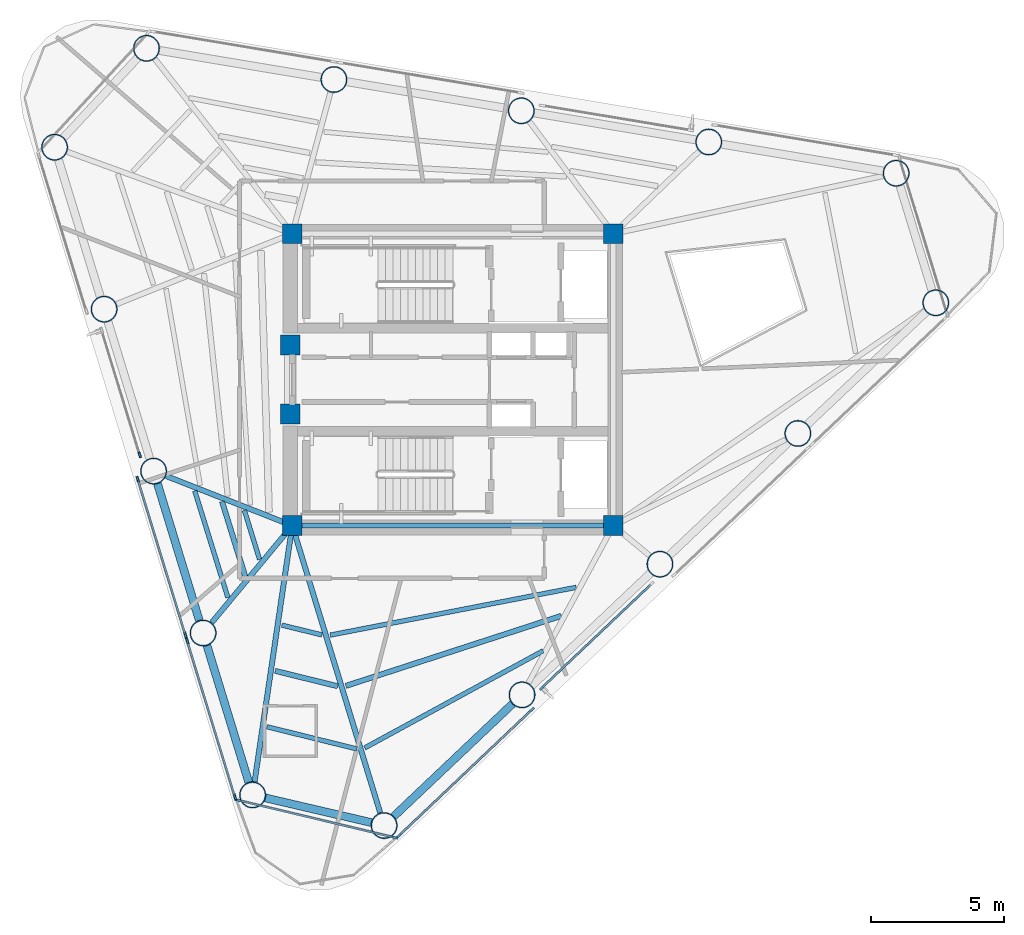
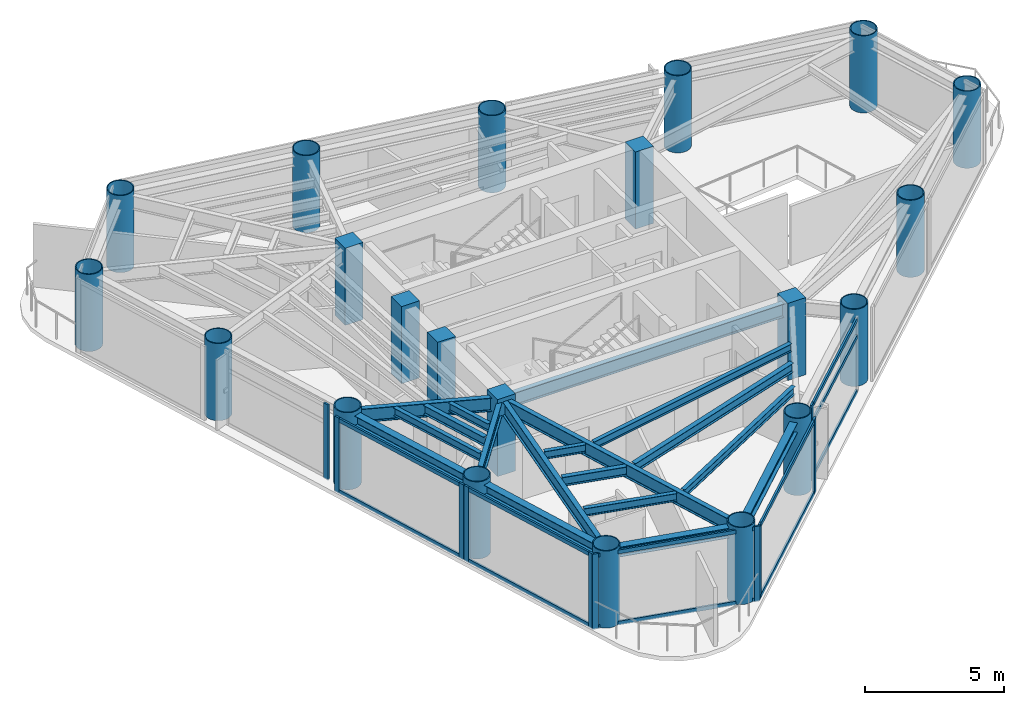
# One storey, part 1 of 8: 21 columns, 21 members, 18 beams, 6 elements without a shape of their own.
"""IFC4 building model written with IfcOpenShell, lengths in metres."""

from ifc_helpers import new_model, si_unit, direction, frame, origin, origin_2d, place, context, subcontext, project, spatial, rectangle, hollow_circle, i_section, extrude, source, transform, mapped, material, layer, layer_set, material_profile, profile_set, type_object, element, aggregate, save


model = new_model("IFC4")

# Units and contexts
model_context = context("Model", 3, precision=1e-05, world=origin(), true_north=direction((0.0, 1.0)))
body_context = subcontext(model_context, "Body", "Model", "MODEL_VIEW")
ifc_project = project(units=[si_unit("LENGTHUNIT", "METRE"), si_unit("AREAUNIT", "SQUARE_METRE"), si_unit("VOLUMEUNIT", "CUBIC_METRE"), si_unit("PLANEANGLEUNIT", "RADIAN"), si_unit("MASSUNIT", "GRAM", prefix="KILO")], contexts=[model_context])

# Site, building, storey
site_placement = place(None, origin())
site = spatial("IfcSite", under=ifc_project, at=site_placement, CompositionType="ELEMENT")
building_placement = place(site_placement, origin())
building = spatial("IfcBuilding", under=site, at=building_placement, Name="Yunling Apex Tower", CompositionType="ELEMENT")
storey_placement = place(building_placement, frame((0.0, 0.0, 242.25)))
storey = spatial("IfcBuildingStorey", under=building, at=storey_placement, Name="L59", CompositionType="ELEMENT", Elevation=242.25)

# Columns
ifc_material_1 = material(Name="Concrete C50", Category="concrete")
ifc_material_profile_1 = material_profile(ifc_material_1, rectangle(XDim=0.75, YDim=0.75, at=origin_2d()))
ifc_profile_set_1 = profile_set([ifc_material_profile_1], Name="Concrete C50")
column_type_1 = type_object("IfcColumnType", Name="PC-SRC-4", PredefinedType="COLUMN", material=ifc_profile_set_1)
shared_shape_1 = source(origin(), body_context, "Body", "SweptSolid", [
    extrude(rectangle(XDim=0.75, YDim=0.75, at=origin_2d()), origin(), (0.0, 0.0, 1.0), 3.39990234375),
])
for number, where, z_axis, x_axis, name in (
    (1, (-6.050048828125, -5.5, 0.0), (0.0, 0.0, 1.0), (1.0, 0.0, 0.0), "L59 Core Spine Column CC-SW"),
    (2, (6.050048828125, -5.5, 0.0), (0.0, 0.0, 1.0), (1.0, 0.0, 0.0), "L59 Core Spine Column CC-SE"),
    (3, (6.050048828125, 5.5, 0.0), (0.0, 0.0, 1.0), (1.0, 0.0, 0.0), "L59 Core Spine Column CC-NE"),
    (4, (-6.050048828125, 5.5, 0.0), (0.0, 0.0, 1.0), (1.0, 0.0, 0.0), "L59 Core Spine Column CC-NW"),
    (5, (-6.125, -1.300048828125, 0.0), (0.0, 0.0, 1.0), (1.0, 0.0, 0.0), "L59 Core West Portal Jamb Column S"),
    (6, (-6.125, 1.300048828125, 0.0), (0.0, 0.0, 1.0), (1.0, 0.0, 0.0), "L59 Core West Portal Jamb Column N"),
):
    element("IfcColumn", number, at=place(storey_placement, frame(where, z_axis=z_axis, x_axis=x_axis)), inside=storey, type_object=column_type_1, Name=name, PredefinedType="COLUMN", context=body_context, shape_type="MappedRepresentation", body=[
        mapped(shared_shape_1, transform((0.0, 0.0, 0.0), scale=1.0)),
    ])
ifc_material_2 = material(Name="Steel Q390GJC", Category="steel")
ifc_material_profile_2 = material_profile(ifc_material_2, hollow_circle(Radius=0.5, WallThickness=0.0400390625, at=origin_2d()))
ifc_profile_set_2 = profile_set([ifc_material_profile_2], Name="Steel Q390GJC")
column_type_2 = type_object("IfcColumnType", Name="MC-CFST-5", PredefinedType="COLUMN", material=ifc_profile_set_2)
shared_shape_2 = source(origin(), body_context, "Body", "SweptSolid", [
    extrude(hollow_circle(Radius=0.5, WallThickness=0.0400390625, at=origin_2d()), origin(), (0.0, 0.0, 1.0), 3.39990234375),
])
for number, where, z_axis, x_axis, name in (
    (7, (-2.58740234375, -16.807861328125, 0.0), (0.0, 0.0, 1.0), (1.0, 0.0, 0.0), "L59 Perimeter CFST Mega-Column P01"),
    (8, (2.61083984375, -11.8818359375, 0.0), (0.0, 0.0, 1.0), (1.0, 0.0, 0.0), "L59 Perimeter CFST Mega-Column P02"),
    (9, (7.80908203125, -6.9560546875, 0.0), (0.0, 0.0, 1.0), (1.0, 0.0, 0.0), "L59 Perimeter CFST Mega-Column P03"),
    (10, (13.007080078125, -2.030029296875, 0.0), (0.0, 0.0, 1.0), (1.0, 0.0, 0.0), "L59 Perimeter CFST Mega-Column P04"),
    (11, (18.205322265625, 2.89599609375, 0.0), (0.0, 0.0, 1.0), (1.0, 0.0, 0.0), "L59 Perimeter CFST Mega-Column P05"),
    (12, (16.712158203125, 7.779296875, 0.0), (0.0, 0.0, 1.0), (1.0, 0.0, 0.0), "L59 Perimeter CFST Mega-Column P06"),
    (13, (9.648193359375, 8.95654296875, 0.0), (0.0, 0.0, 1.0), (1.0, 0.0, 0.0), "L59 Perimeter CFST Mega-Column P07"),
    (14, (2.584228515625, 10.133544921875, 0.0), (0.0, 0.0, 1.0), (1.0, 0.0, 0.0), "L59 Perimeter CFST Mega-Column P08"),
    (15, (-4.479736328125, 11.310546875, 0.0), (0.0, 0.0, 1.0), (1.0, 0.0, 0.0), "L59 Perimeter CFST Mega-Column P09"),
    (16, (-11.543701171875, 12.487548828125, 0.0), (0.0, 0.0, 1.0), (1.0, 0.0, 0.0), "L59 Perimeter CFST Mega-Column P10"),
    (17, (-15.007568359375, 8.7587890625, 0.0), (0.0, 0.0, 1.0), (1.0, 0.0, 0.0), "L59 Perimeter CFST Mega-Column P11"),
    (18, (-13.1416015625, 2.65576171875, 0.0), (0.0, 0.0, 1.0), (1.0, 0.0, 0.0), "L59 Perimeter CFST Mega-Column P12"),
    (19, (-11.27587890625, -3.447509765625, 0.0), (0.0, 0.0, 1.0), (1.0, 0.0, 0.0), "L59 Perimeter CFST Mega-Column P13"),
    (20, (-9.409912109375, -9.55029296875, 0.0), (0.0, 0.0, 1.0), (1.0, 0.0, 0.0), "L59 Perimeter CFST Mega-Column P14"),
    (21, (-7.5439453125, -15.6533203125, 0.0), (0.0, 0.0, 1.0), (1.0, 0.0, 0.0), "L59 Perimeter CFST Mega-Column P15"),
):
    element("IfcColumn", number, at=place(storey_placement, frame(where, z_axis=z_axis, x_axis=x_axis)), inside=storey, type_object=column_type_2, Name=name, PredefinedType="COLUMN", context=body_context, shape_type="MappedRepresentation", body=[
        mapped(shared_shape_2, transform((0.0, 0.0, 0.0), scale=1.0)),
    ])

# Beams
ifc_material_3 = material(Name="Steel Q355B", Category="steel")
ifc_material_profile_3 = material_profile(ifc_material_3, i_section(OverallWidth=0.199951171875, OverallDepth=0.60009765625, WebThickness=0.010986328125, FlangeThickness=0.01708984375, FilletRadius=0.02197265625, at=origin_2d()))
ifc_profile_set_3 = profile_set([ifc_material_profile_3], Name="Steel Q355B")
beam_type_1 = type_object("IfcBeamType", Name="BG-PRI-5", PredefinedType="USERDEFINED", material=ifc_profile_set_3)
shared_shape_3 = source(origin(), body_context, "Body", "SweptSolid", [
    extrude(i_section(OverallWidth=0.199951171875, OverallDepth=0.60009765625, WebThickness=0.010986328125, FlangeThickness=0.01708984375, FilletRadius=0.02197265625, at=origin_2d()), origin(), (0.0, 0.0, 1.0), 11.7998046875),
])
beam_1_placement = place(storey_placement, frame((-5.89990234375, -5.5, 2.919921875), z_axis=(1.0, 0.0, 0.0), x_axis=(0.0, 1.0, 0.0)))
element("IfcBeam", 22, at=beam_1_placement, inside=storey, type_object=beam_type_1, Name="L59 Core Ring Tie Beam 1", ObjectType="GIRDER", PredefinedType="USERDEFINED", context=body_context, shape_type="MappedRepresentation", body=[
    mapped(shared_shape_3, transform((0.0, 0.0, 0.0), scale=1.0)),
])
ifc_material_profile_4 = material_profile(ifc_material_3, i_section(OverallWidth=0.300048828125, OverallDepth=0.43994140625, WebThickness=0.010986328125, FlangeThickness=0.01806640625, FilletRadius=0.02197265625, at=origin_2d()))
ifc_profile_set_4 = profile_set([ifc_material_profile_4], Name="Steel Q355B")
beam_type_2 = type_object("IfcBeamType", Name="BP-SPN-3", PredefinedType="SPANDREL", material=ifc_profile_set_4)
shared_shape_4 = source(origin(), body_context, "Body", "SweptSolid", [
    extrude(i_section(OverallWidth=0.300048828125, OverallDepth=0.43994140625, WebThickness=0.010986328125, FlangeThickness=0.01806640625, FilletRadius=0.02197265625, at=origin_2d()), origin(), (0.0, 0.0, 1.0), 6.17333984375),
])
beam_2_placement = place(storey_placement, frame((-2.228759765625, -16.468017578125, 3.0), z_axis=(0.725853952128, 0.687848849807, 0.0), x_axis=(-0.687848849807, 0.725853952128, 0.0)))
element("IfcBeam", 23, at=beam_2_placement, inside=storey, type_object=beam_type_2, Name="L59 Perimeter Spandrel Beam 1", PredefinedType="SPANDREL", context=body_context, shape_type="MappedRepresentation", body=[
    mapped(shared_shape_4, transform((0.0, 0.0, 0.0), scale=1.0)),
])
shared_shape_5 = source(origin(), body_context, "Body", "SweptSolid", [
    extrude(i_section(OverallWidth=0.300048828125, OverallDepth=0.43994140625, WebThickness=0.010986328125, FlangeThickness=0.01806640625, FilletRadius=0.02197265625, at=origin_2d()), origin(), (0.0, 0.0, 1.0), 4.1015625),
])
beam_3_placement = place(storey_placement, frame((-7.06298828125, -15.765380859375, 3.0), z_axis=(0.973930702249, -0.226845734401, 0.0), x_axis=(0.226845734401, 0.973930702249, 0.0)))
element("IfcBeam", 24, at=beam_3_placement, inside=storey, type_object=beam_type_2, Name="L59 Perimeter Spandrel Beam 15", PredefinedType="SPANDREL", context=body_context, shape_type="MappedRepresentation", body=[
    mapped(shared_shape_5, transform((0.0, 0.0, 0.0), scale=1.0)),
])
shared_shape_6 = source(origin(), body_context, "Body", "SweptSolid", [
    extrude(i_section(OverallWidth=0.300048828125, OverallDepth=0.43994140625, WebThickness=0.010986328125, FlangeThickness=0.01806640625, FilletRadius=0.02197265625, at=origin_2d()), origin(), (0.0, 0.0, 1.0), 5.393798828125),
])
for number, where, z_axis, x_axis, name in (
    (25, (-11.13134765625, -3.919921875, 3.0), (0.292405975038, -0.956294277805, 0.0), (0.956294277805, 0.292405975038, 0.0), "L59 Perimeter Spandrel Beam 13"),
    (26, (-9.265380859375, -10.022705078125, 3.0), (0.292351925226, -0.956310802938, 0.0), (0.956310802938, 0.292351925226, 0.0), "L59 Perimeter Spandrel Beam 14"),
):
    element("IfcBeam", number, at=place(storey_placement, frame(where, z_axis=z_axis, x_axis=x_axis)), inside=storey, type_object=beam_type_2, Name=name, PredefinedType="SPANDREL", context=body_context, shape_type="MappedRepresentation", body=[
        mapped(shared_shape_6, transform((0.0, 0.0, 0.0), scale=1.0)),
    ])
shared_shape_7 = source(origin(), body_context, "Body", "SweptSolid", [
    extrude(i_section(OverallWidth=0.199951171875, OverallDepth=0.60009765625, WebThickness=0.010986328125, FlangeThickness=0.01708984375, FilletRadius=0.02197265625, at=origin_2d()), origin(), (0.0, 0.0, 1.0), 11.23828125),
])
beam_4_placement = place(storey_placement, frame((-2.736083984375, -16.322265625, 2.919921875), z_axis=(-0.292794126511, 0.956175506631, 0.0), x_axis=(-0.956175506631, -0.292794126511, 0.0)))
element("IfcBeam", 27, at=beam_4_placement, inside=storey, type_object=beam_type_1, Name="L59 Radial Primary Girder R01", ObjectType="GIRDER", PredefinedType="USERDEFINED", context=body_context, shape_type="MappedRepresentation", body=[
    mapped(shared_shape_7, transform((0.0, 0.0, 0.0), scale=1.0)),
])
shared_shape_8 = source(origin(), body_context, "Body", "SweptSolid", [
    extrude(i_section(OverallWidth=0.199951171875, OverallDepth=0.60009765625, WebThickness=0.010986328125, FlangeThickness=0.01708984375, FilletRadius=0.02197265625, at=origin_2d()), origin(), (0.0, 0.0, 1.0), 5.0263671875),
])
beam_5_placement = place(storey_placement, frame((-10.802978515625, -3.633056640625, 2.919921875), z_axis=(0.930773335483, -0.365596769617, 0.0), x_axis=(0.365596769617, 0.930773335483, 0.0)))
element("IfcBeam", 28, at=beam_5_placement, inside=storey, type_object=beam_type_1, Name="L59 Radial Primary Girder R13", ObjectType="GIRDER", PredefinedType="USERDEFINED", context=body_context, shape_type="MappedRepresentation", body=[
    mapped(shared_shape_8, transform((0.0, 0.0, 0.0), scale=1.0)),
])
shared_shape_9 = source(origin(), body_context, "Body", "SweptSolid", [
    extrude(i_section(OverallWidth=0.199951171875, OverallDepth=0.60009765625, WebThickness=0.010986328125, FlangeThickness=0.01708984375, FilletRadius=0.02197265625, at=origin_2d()), origin(), (0.0, 0.0, 1.0), 4.6748046875),
])
beam_6_placement = place(storey_placement, frame((-9.085693359375, -9.159423828125, 2.919921875), z_axis=(0.63846190647, 0.769653424593, 0.0), x_axis=(-0.769653424593, 0.63846190647, 0.0)))
element("IfcBeam", 29, at=beam_6_placement, inside=storey, type_object=beam_type_1, Name="L59 Radial Primary Girder R14", ObjectType="GIRDER", PredefinedType="USERDEFINED", context=body_context, shape_type="MappedRepresentation", body=[
    mapped(shared_shape_9, transform((0.0, 0.0, 0.0), scale=1.0)),
])
shared_shape_10 = source(origin(), body_context, "Body", "SweptSolid", [
    extrude(i_section(OverallWidth=0.199951171875, OverallDepth=0.60009765625, WebThickness=0.010986328125, FlangeThickness=0.01708984375, FilletRadius=0.02197265625, at=origin_2d()), origin(), (0.0, 0.0, 1.0), 9.6748046875),
])
beam_7_placement = place(storey_placement, frame((-7.469970703125, -15.15087890625, 2.919921875), z_axis=(0.145578261909, 0.989346738843, 0.0), x_axis=(-0.989346738843, 0.145578261909, 0.0)))
element("IfcBeam", 30, at=beam_7_placement, inside=storey, type_object=beam_type_1, Name="L59 Radial Primary Girder R15", ObjectType="GIRDER", PredefinedType="USERDEFINED", context=body_context, shape_type="MappedRepresentation", body=[
    mapped(shared_shape_10, transform((0.0, 0.0, 0.0), scale=1.0)),
])
ifc_material_profile_5 = material_profile(ifc_material_3, i_section(OverallWidth=0.199951171875, OverallDepth=0.39990234375, WebThickness=0.008056640625, FlangeThickness=0.012939453125, FilletRadius=0.01611328125, at=origin_2d()))
ifc_profile_set_5 = profile_set([ifc_material_profile_5], Name="Steel Q355B")
beam_type_3 = type_object("IfcBeamType", Name="BS-SEC-4", PredefinedType="BEAM", material=ifc_profile_set_5)
shared_shape_11 = source(origin(), body_context, "Body", "SweptSolid", [
    extrude(i_section(OverallWidth=0.199951171875, OverallDepth=0.39990234375, WebThickness=0.008056640625, FlangeThickness=0.012939453125, FilletRadius=0.01611328125, at=origin_2d()), origin(), (0.0, 0.0, 1.0), 8.540283203125),
])
beam_8_placement = place(storey_placement, frame((-4.03173828125, -11.544677734375, 3.02001953125), z_axis=(0.950990153104, 0.309221164702, 0.0), x_axis=(-0.309221164702, 0.950990153104, 0.0)))
element("IfcBeam", 31, at=beam_8_placement, inside=storey, type_object=beam_type_3, Name="L59 Composite Floor Beam BS-1", PredefinedType="BEAM", context=body_context, shape_type="MappedRepresentation", body=[
    mapped(shared_shape_11, transform((0.0, 0.0, 0.0), scale=1.0)),
])
ifc_material_profile_6 = material_profile(ifc_material_3, i_section(OverallWidth=0.175048828125, OverallDepth=0.35009765625, WebThickness=0.007080078125, FlangeThickness=0.010986328125, FilletRadius=0.013916015625, at=origin_2d()))
ifc_profile_set_6 = profile_set([ifc_material_profile_6], Name="Steel Q355B")
beam_type_4 = type_object("IfcBeamType", Name="BJ-JST-1", PredefinedType="JOIST", material=ifc_profile_set_6)
shared_shape_12 = source(origin(), body_context, "Body", "SweptSolid", [
    extrude(i_section(OverallWidth=0.175048828125, OverallDepth=0.35009765625, WebThickness=0.007080078125, FlangeThickness=0.010986328125, FilletRadius=0.013916015625, at=origin_2d()), origin(), (0.0, 0.0, 1.0), 7.657470703125),
])
beam_9_placement = place(storey_placement, frame((-3.3193359375, -13.881591796875, 3.044921875), z_axis=(0.878333844235, 0.478047757104, 0.0), x_axis=(-0.478047757104, 0.878333844235, 0.0)))
element("IfcBeam", 32, at=beam_9_placement, inside=storey, type_object=beam_type_4, Name="L59 Composite Floor Joist BJ1-1", PredefinedType="JOIST", context=body_context, shape_type="MappedRepresentation", body=[
    mapped(shared_shape_12, transform((0.0, 0.0, 0.0), scale=1.0)),
])
shared_shape_13 = source(origin(), body_context, "Body", "SweptSolid", [
    extrude(i_section(OverallWidth=0.175048828125, OverallDepth=0.35009765625, WebThickness=0.007080078125, FlangeThickness=0.010986328125, FilletRadius=0.013916015625, at=origin_2d()), origin(), (0.0, 0.0, 1.0), 9.4462890625),
])
beam_10_placement = place(storey_placement, frame((-4.619140625, -9.62939453125, 3.044921875), z_axis=(0.981676272709, 0.190556279353, 0.0), x_axis=(-0.190556279353, 0.981676272709, 0.0)))
element("IfcBeam", 33, at=beam_10_placement, inside=storey, type_object=beam_type_4, Name="L59 Composite Floor Joist BJ3-1", PredefinedType="JOIST", context=body_context, shape_type="MappedRepresentation", body=[
    mapped(shared_shape_13, transform((0.0, 0.0, 0.0), scale=1.0)),
])
shared_shape_14 = source(origin(), body_context, "Body", "SweptSolid", [
    extrude(i_section(OverallWidth=0.199951171875, OverallDepth=0.39990234375, WebThickness=0.008056640625, FlangeThickness=0.012939453125, FilletRadius=0.01611328125, at=origin_2d()), origin(), (0.0, 0.0, 1.0), 2.9619140625),
])
beam_11_placement = place(storey_placement, frame((-8.697021484375, -4.594482421875, 3.02001953125), z_axis=(0.296152913488, -0.955140540356, 0.0), x_axis=(0.955140540356, 0.296152913488, 0.0)))
element("IfcBeam", 34, at=beam_11_placement, inside=storey, type_object=beam_type_3, Name="L59 Composite Floor Beam BS-13", PredefinedType="BEAM", context=body_context, shape_type="MappedRepresentation", body=[
    mapped(shared_shape_14, transform((0.0, 0.0, 0.0), scale=1.0)),
])
shared_shape_15 = source(origin(), body_context, "Body", "SweptSolid", [
    extrude(i_section(OverallWidth=0.175048828125, OverallDepth=0.35009765625, WebThickness=0.007080078125, FlangeThickness=0.010986328125, FilletRadius=0.013916015625, at=origin_2d()), origin(), (0.0, 0.0, 1.0), 4.21435546875),
])
beam_12_placement = place(storey_placement, frame((-9.726318359375, -4.190185546875, 3.044921875), z_axis=(0.296539510889, -0.955020585371, 0.0), x_axis=(0.955020585371, 0.296539510889, 0.0)))
element("IfcBeam", 35, at=beam_12_placement, inside=storey, type_object=beam_type_4, Name="L59 Composite Floor Joist BJ1-13", PredefinedType="JOIST", context=body_context, shape_type="MappedRepresentation", body=[
    mapped(shared_shape_15, transform((0.0, 0.0, 0.0), scale=1.0)),
])
shared_shape_16 = source(origin(), body_context, "Body", "SweptSolid", [
    extrude(i_section(OverallWidth=0.175048828125, OverallDepth=0.35009765625, WebThickness=0.007080078125, FlangeThickness=0.010986328125, FilletRadius=0.013916015625, at=origin_2d()), origin(), (0.0, 0.0, 1.0), 1.93701171875),
])
beam_13_placement = place(storey_placement, frame((-7.85498046875, -4.92529296875, 3.044921875), z_axis=(0.295546803782, -0.955328261266, 0.0), x_axis=(0.955328261266, 0.295546803782, 0.0)))
element("IfcBeam", 36, at=beam_13_placement, inside=storey, type_object=beam_type_4, Name="L59 Composite Floor Joist BJ3-13", PredefinedType="JOIST", context=body_context, shape_type="MappedRepresentation", body=[
    mapped(shared_shape_16, transform((0.0, 0.0, 0.0), scale=1.0)),
])
shared_shape_17 = source(origin(), body_context, "Body", "SweptSolid", [
    extrude(i_section(OverallWidth=0.199951171875, OverallDepth=0.39990234375, WebThickness=0.008056640625, FlangeThickness=0.012939453125, FilletRadius=0.01611328125, at=origin_2d()), origin(), (0.0, 0.0, 1.0), 2.42578125),
])
beam_14_placement = place(storey_placement, frame((-6.69482421875, -10.977294921875, 3.02001953125), z_axis=(0.971134786196, -0.23853139634, 0.0), x_axis=(0.23853139634, 0.971134786196, 0.0)))
element("IfcBeam", 37, at=beam_14_placement, inside=storey, type_object=beam_type_3, Name="L59 Composite Floor Beam BS-15", PredefinedType="BEAM", context=body_context, shape_type="MappedRepresentation", body=[
    mapped(shared_shape_17, transform((0.0, 0.0, 0.0), scale=1.0)),
])
shared_shape_18 = source(origin(), body_context, "Body", "SweptSolid", [
    extrude(i_section(OverallWidth=0.175048828125, OverallDepth=0.35009765625, WebThickness=0.007080078125, FlangeThickness=0.010986328125, FilletRadius=0.013916015625, at=origin_2d()), origin(), (0.0, 0.0, 1.0), 3.4912109375),
])
beam_15_placement = place(storey_placement, frame((-7.0048828125, -13.08349609375, 3.044921875), z_axis=(0.970878392095, -0.239572844376, 0.0), x_axis=(0.239572844376, 0.970878392095, 0.0)))
element("IfcBeam", 38, at=beam_15_placement, inside=storey, type_object=beam_type_4, Name="L59 Composite Floor Joist BJ1-15", PredefinedType="JOIST", context=body_context, shape_type="MappedRepresentation", body=[
    mapped(shared_shape_18, transform((0.0, 0.0, 0.0), scale=1.0)),
])
shared_shape_19 = source(origin(), body_context, "Body", "SweptSolid", [
    extrude(i_section(OverallWidth=0.175048828125, OverallDepth=0.35009765625, WebThickness=0.007080078125, FlangeThickness=0.010986328125, FilletRadius=0.013916015625, at=origin_2d()), origin(), (0.0, 0.0, 1.0), 1.553955078125),
])
beam_16_placement = place(storey_placement, frame((-6.44140625, -9.254150390625, 3.044921875), z_axis=(0.971567073494, -0.23676448573, 0.0), x_axis=(0.23676448573, 0.971567073494, 0.0)))
element("IfcBeam", 39, at=beam_16_placement, inside=storey, type_object=beam_type_4, Name="L59 Composite Floor Joist BJ3-15", PredefinedType="JOIST", context=body_context, shape_type="MappedRepresentation", body=[
    mapped(shared_shape_19, transform((0.0, 0.0, 0.0), scale=1.0)),
])

# Curtain wall, members
ifc_material_4 = material(Name="Bronze anodised aluminium", Category="aluminium")
ifc_layer = layer(ifc_material_4, 0.219970703125)
ifc_layer_set = layer_set([ifc_layer], Name="Bronze anodised aluminium")
curtain_wall_type = type_object("IfcCurtainWallType", Name="CW-SYS-4", PredefinedType="NOTDEFINED", material=ifc_layer_set)
curtain_wall_1_placement = place(storey_placement, origin())
curtain_wall_1 = element("IfcCurtainWall", 40, at=curtain_wall_1_placement, inside=storey, type_object=curtain_wall_type, Name="CW-L59-F1-B2", PredefinedType="NOTDEFINED")
ifc_material_profile_7 = material_profile(ifc_material_4, rectangle(XDim=0.080078125, YDim=0.169921875, at=origin_2d()))
ifc_profile_set_7 = profile_set([ifc_material_profile_7], Name="Bronze anodised aluminium")
member_type_1 = type_object("IfcMemberType", Name="CW-TRN-4", PredefinedType="USERDEFINED", material=ifc_profile_set_7)
shared_shape_20 = source(origin(), body_context, "Body", "SweptSolid", [
    extrude(rectangle(XDim=0.080078125, YDim=0.169921875, at=origin_2d()), origin(), (0.0, 0.0, 1.0), 5.609619140625),
])
member_1_placement = place(storey_placement, frame((3.39404296875, -11.580322265625, 0.0400390625), z_axis=(0.725870335167, 0.687831561157, 0.0), x_axis=(-0.687831561157, 0.725870335167, 0.0)))
member_1 = element("IfcMember", 41, at=member_1_placement, type_object=member_type_1, Name="CW-SYS-4 transom 1.1", ObjectType="TRANSOM", PredefinedType="USERDEFINED", context=body_context, shape_type="MappedRepresentation", body=[
    mapped(shared_shape_20, transform((0.0, 0.0, 0.0), scale=1.0)),
])
member_2_placement = place(storey_placement, frame((3.39404296875, -11.580322265625, 2.447265625), z_axis=(0.725870335167, 0.687831561157, 0.0), x_axis=(-0.687831561157, 0.725870335167, 0.0)))
member_2 = element("IfcMember", 42, at=member_2_placement, type_object=member_type_1, Name="CW-SYS-4 transom 1.2", ObjectType="TRANSOM", PredefinedType="USERDEFINED", context=body_context, shape_type="MappedRepresentation", body=[
    mapped(shared_shape_20, transform((0.0, 0.0, 0.0), scale=1.0)),
])
member_3_placement = place(storey_placement, frame((3.39404296875, -11.580322265625, 3.179931640625), z_axis=(0.725870335167, 0.687831561157, 0.0), x_axis=(-0.687831561157, 0.725870335167, 0.0)))
member_3 = element("IfcMember", 43, at=member_3_placement, type_object=member_type_1, Name="CW-SYS-4 transom 1.3", ObjectType="TRANSOM", PredefinedType="USERDEFINED", context=body_context, shape_type="MappedRepresentation", body=[
    mapped(shared_shape_20, transform((0.0, 0.0, 0.0), scale=1.0)),
])

curtain_wall_2_placement = place(storey_placement, origin())
curtain_wall_2 = element("IfcCurtainWall", 44, at=curtain_wall_2_placement, inside=storey, type_object=curtain_wall_type, Name="CW-L59-F1-B1", PredefinedType="NOTDEFINED")
shared_shape_21 = source(origin(), body_context, "Body", "SweptSolid", [
    extrude(rectangle(XDim=0.080078125, YDim=0.169921875, at=origin_2d()), origin(), (0.0, 0.0, 1.0), 6.849365234375),
])
member_4_placement = place(storey_placement, frame((-2.02001953125, -17.1796875, 0.0400390625), z_axis=(0.725832781837, 0.687871189112, 0.0), x_axis=(-0.687871189112, 0.725832781837, 0.0)))
member_4 = element("IfcMember", 45, at=member_4_placement, type_object=member_type_1, Name="CW-SYS-4 transom 1.1", ObjectType="TRANSOM", PredefinedType="USERDEFINED", context=body_context, shape_type="MappedRepresentation", body=[
    mapped(shared_shape_21, transform((0.0, 0.0, 0.0), scale=1.0)),
])
member_5_placement = place(storey_placement, frame((-2.02001953125, -17.1796875, 3.179931640625), z_axis=(0.725832781837, 0.687871189112, 0.0), x_axis=(-0.687871189112, 0.725832781837, 0.0)))
member_5 = element("IfcMember", 46, at=member_5_placement, type_object=member_type_1, Name="CW-SYS-4 transom 1.2", ObjectType="TRANSOM", PredefinedType="USERDEFINED", context=body_context, shape_type="MappedRepresentation", body=[
    mapped(shared_shape_21, transform((0.0, 0.0, 0.0), scale=1.0)),
])

curtain_wall_3_placement = place(storey_placement, origin())
curtain_wall_3 = element("IfcCurtainWall", 47, at=curtain_wall_3_placement, inside=storey, type_object=curtain_wall_type, Name="CW-L59-F3-B3", PredefinedType="NOTDEFINED")
shared_shape_22 = source(origin(), body_context, "Body", "SweptSolid", [
    extrude(rectangle(XDim=0.080078125, YDim=0.169921875, at=origin_2d()), origin(), (0.0, 0.0, 1.0), 6.06982421875),
])
member_6_placement = place(storey_placement, frame((-11.861328125, -3.78955078125, 0.0400390625), z_axis=(0.292369766892, -0.956305348415, 0.0), x_axis=(0.956305348415, 0.292369766892, 0.0)))
member_6 = element("IfcMember", 48, at=member_6_placement, type_object=member_type_1, Name="CW-SYS-4 transom 1.1", ObjectType="TRANSOM", PredefinedType="USERDEFINED", context=body_context, shape_type="MappedRepresentation", body=[
    mapped(shared_shape_22, transform((0.0, 0.0, 0.0), scale=1.0)),
])
member_7_placement = place(storey_placement, frame((-11.861328125, -3.78955078125, 3.179931640625), z_axis=(0.292369766892, -0.956305348415, 0.0), x_axis=(0.956305348415, 0.292369766892, 0.0)))
member_7 = element("IfcMember", 49, at=member_7_placement, type_object=member_type_1, Name="CW-SYS-4 transom 1.2", ObjectType="TRANSOM", PredefinedType="USERDEFINED", context=body_context, shape_type="MappedRepresentation", body=[
    mapped(shared_shape_22, transform((0.0, 0.0, 0.0), scale=1.0)),
])

curtain_wall_4_placement = place(storey_placement, origin())
curtain_wall_4 = element("IfcCurtainWall", 50, at=curtain_wall_4_placement, inside=storey, type_object=curtain_wall_type, Name="CW-L59-F3-B4", PredefinedType="NOTDEFINED")
member_8_placement = place(storey_placement, frame((-9.995361328125, -9.892578125, 0.0400390625), z_axis=(0.292369766892, -0.956305348415, 0.0), x_axis=(0.956305348415, 0.292369766892, 0.0)))
member_8 = element("IfcMember", 51, at=member_8_placement, type_object=member_type_1, Name="CW-SYS-4 transom 1.1", ObjectType="TRANSOM", PredefinedType="USERDEFINED", context=body_context, shape_type="MappedRepresentation", body=[
    mapped(shared_shape_22, transform((0.0, 0.0, 0.0), scale=1.0)),
])
member_9_placement = place(storey_placement, frame((-9.995361328125, -9.892578125, 3.179931640625), z_axis=(0.292369766892, -0.956305348415, 0.0), x_axis=(0.956305348415, 0.292369766892, 0.0)))
member_9 = element("IfcMember", 52, at=member_9_placement, type_object=member_type_1, Name="CW-SYS-4 transom 1.2", ObjectType="TRANSOM", PredefinedType="USERDEFINED", context=body_context, shape_type="MappedRepresentation", body=[
    mapped(shared_shape_22, transform((0.0, 0.0, 0.0), scale=1.0)),
])

curtain_wall_5_placement = place(storey_placement, origin())
curtain_wall_5 = element("IfcCurtainWall", 53, at=curtain_wall_5_placement, inside=storey, type_object=curtain_wall_type, Name="CW-L59-CRN3", PredefinedType="NOTDEFINED")
shared_shape_23 = source(origin(), body_context, "Body", "SweptSolid", [
    extrude(rectangle(XDim=0.080078125, YDim=0.169921875, at=origin_2d()), origin(), (0.0, 0.0, 1.0), 6.02490234375),
])
member_10_placement = place(storey_placement, frame((-8.08203125, -15.858154296875, 0.0400390625), z_axis=(0.972757933043, -0.231823216485, 0.0), x_axis=(0.231823216485, 0.972757933043, 0.0)))
member_10 = element("IfcMember", 54, at=member_10_placement, type_object=member_type_1, Name="CW-SYS-4 transom 1.1", ObjectType="TRANSOM", PredefinedType="USERDEFINED", context=body_context, shape_type="MappedRepresentation", body=[
    mapped(shared_shape_23, transform((0.0, 0.0, 0.0), scale=1.0)),
])
member_11_placement = place(storey_placement, frame((-8.08203125, -15.858154296875, 3.179931640625), z_axis=(0.972757933043, -0.231823216485, 0.0), x_axis=(0.231823216485, 0.972757933043, 0.0)))
member_11 = element("IfcMember", 55, at=member_11_placement, type_object=member_type_1, Name="CW-SYS-4 transom 1.2", ObjectType="TRANSOM", PredefinedType="USERDEFINED", context=body_context, shape_type="MappedRepresentation", body=[
    mapped(shared_shape_23, transform((0.0, 0.0, 0.0), scale=1.0)),
])

# Member
ifc_material_profile_8 = material_profile(ifc_material_4, rectangle(XDim=0.080078125, YDim=0.219970703125, at=origin_2d()))
ifc_profile_set_8 = profile_set([ifc_material_profile_8], Name="Bronze anodised aluminium")
member_type_2 = type_object("IfcMemberType", Name="CW-MUL-4", PredefinedType="MULLION", material=ifc_profile_set_8)
shared_shape_24 = source(origin(), body_context, "Body", "SweptSolid", [
    extrude(rectangle(XDim=0.080078125, YDim=0.219970703125, at=origin_2d()), origin(), (0.0, 0.0, 1.0), 3.320068359375),
])
member_12_placement = place(storey_placement, frame((-2.04638671875, -17.204345703125, -0.050048828125), z_axis=(0.0, 0.0, 1.0), x_axis=(-0.687848040467, 0.72585471909, 0.0)))
member_12 = element("IfcMember", 56, at=member_12_placement, type_object=member_type_2, Name="CW-SYS-4 mullion 1", PredefinedType="MULLION", context=body_context, shape_type="MappedRepresentation", body=[
    mapped(shared_shape_24, transform((0.0, 0.0, 0.0), scale=1.0)),
])

member_13_placement = place(storey_placement, frame((2.977783203125, -12.443603515625, -0.050048828125), z_axis=(0.0, 0.0, 1.0), x_axis=(-0.687848040467, 0.72585471909, 0.0)))
member_13 = element("IfcMember", 57, at=member_13_placement, type_object=member_type_2, Name="CW-SYS-4 mullion 2", PredefinedType="MULLION", context=body_context, shape_type="MappedRepresentation", body=[
    mapped(shared_shape_24, transform((0.0, 0.0, 0.0), scale=1.0)),
])

aggregate(curtain_wall_2, [member_12, member_13, member_4, member_5])

member_14_placement = place(storey_placement, frame((3.367919921875, -11.605224609375, -0.050048828125), z_axis=(0.0, 0.0, 1.0), x_axis=(-0.687854406681, 0.725848686167, 0.0)))
member_14 = element("IfcMember", 58, at=member_14_placement, type_object=member_type_2, Name="CW-SYS-4 mullion 1", PredefinedType="MULLION", context=body_context, shape_type="MappedRepresentation", body=[
    mapped(shared_shape_24, transform((0.0, 0.0, 0.0), scale=1.0)),
])

aggregate(curtain_wall_1, [member_14, member_1, member_2, member_3])

# Curtain wall, member
curtain_wall_6_placement = place(storey_placement, origin())
curtain_wall_6 = element("IfcCurtainWall", 59, at=curtain_wall_6_placement, inside=storey, type_object=curtain_wall_type, Name="CW-L59-F3-B2", PredefinedType="NOTDEFINED")
member_15_placement = place(storey_placement, frame((-11.798095703125, -2.833251953125, -0.050048828125), z_axis=(0.0, 0.0, 1.0), x_axis=(0.956304345474, 0.29237304737, 0.0)))
member_15 = element("IfcMember", 60, at=member_15_placement, type_object=member_type_2, Name="CW-SYS-4 mullion 2", PredefinedType="MULLION", context=body_context, shape_type="MappedRepresentation", body=[
    mapped(shared_shape_24, transform((0.0, 0.0, 0.0), scale=1.0)),
])
aggregate(curtain_wall_6, [member_15])

# Member
member_16_placement = place(storey_placement, frame((-11.871826171875, -3.755126953125, -0.050048828125), z_axis=(0.0, 0.0, 1.0), x_axis=(0.956304646078, 0.29237206414, 0.0)))
member_16 = element("IfcMember", 61, at=member_16_placement, type_object=member_type_2, Name="CW-SYS-4 mullion 1", PredefinedType="MULLION", context=body_context, shape_type="MappedRepresentation", body=[
    mapped(shared_shape_24, transform((0.0, 0.0, 0.0), scale=1.0)),
])

member_17_placement = place(storey_placement, frame((-10.076171875, -9.628662109375, -0.050048828125), z_axis=(0.0, 0.0, 1.0), x_axis=(0.956304646078, 0.29237206414, 0.0)))
member_17 = element("IfcMember", 62, at=member_17_placement, type_object=member_type_2, Name="CW-SYS-4 mullion 2", PredefinedType="MULLION", context=body_context, shape_type="MappedRepresentation", body=[
    mapped(shared_shape_24, transform((0.0, 0.0, 0.0), scale=1.0)),
])

aggregate(curtain_wall_3, [member_16, member_17, member_6, member_7])

member_18_placement = place(storey_placement, frame((-10.005859375, -9.858154296875, -0.050048828125), z_axis=(0.0, 0.0, 1.0), x_axis=(0.956304646078, 0.29237206414, 0.0)))
member_18 = element("IfcMember", 63, at=member_18_placement, type_object=member_type_2, Name="CW-SYS-4 mullion 1", PredefinedType="MULLION", context=body_context, shape_type="MappedRepresentation", body=[
    mapped(shared_shape_24, transform((0.0, 0.0, 0.0), scale=1.0)),
])

member_19_placement = place(storey_placement, frame((-8.210205078125, -15.731689453125, -0.050048828125), z_axis=(0.0, 0.0, 1.0), x_axis=(0.956304646078, 0.29237206414, 0.0)))
member_19 = element("IfcMember", 64, at=member_19_placement, type_object=member_type_2, Name="CW-SYS-4 mullion 2", PredefinedType="MULLION", context=body_context, shape_type="MappedRepresentation", body=[
    mapped(shared_shape_24, transform((0.0, 0.0, 0.0), scale=1.0)),
])

aggregate(curtain_wall_4, [member_18, member_19, member_8, member_9])

member_20_placement = place(storey_placement, frame((-8.1171875, -15.849853515625, -0.050048828125), z_axis=(0.0, 0.0, 1.0), x_axis=(0.231809474992, 0.97276120775, 0.0)))
member_20 = element("IfcMember", 65, at=member_20_placement, type_object=member_type_2, Name="CW-SYS-4 mullion 1", PredefinedType="MULLION", context=body_context, shape_type="MappedRepresentation", body=[
    mapped(shared_shape_24, transform((0.0, 0.0, 0.0), scale=1.0)),
])

member_21_placement = place(storey_placement, frame((-2.18603515625, -17.26318359375, -0.050048828125), z_axis=(0.0, 0.0, 1.0), x_axis=(0.231809474992, 0.97276120775, 0.0)))
member_21 = element("IfcMember", 66, at=member_21_placement, type_object=member_type_2, Name="CW-SYS-4 mullion 2", PredefinedType="MULLION", context=body_context, shape_type="MappedRepresentation", body=[
    mapped(shared_shape_24, transform((0.0, 0.0, 0.0), scale=1.0)),
])

aggregate(curtain_wall_5, [member_20, member_21, member_10, member_11])

save(model, "model.ifc")
